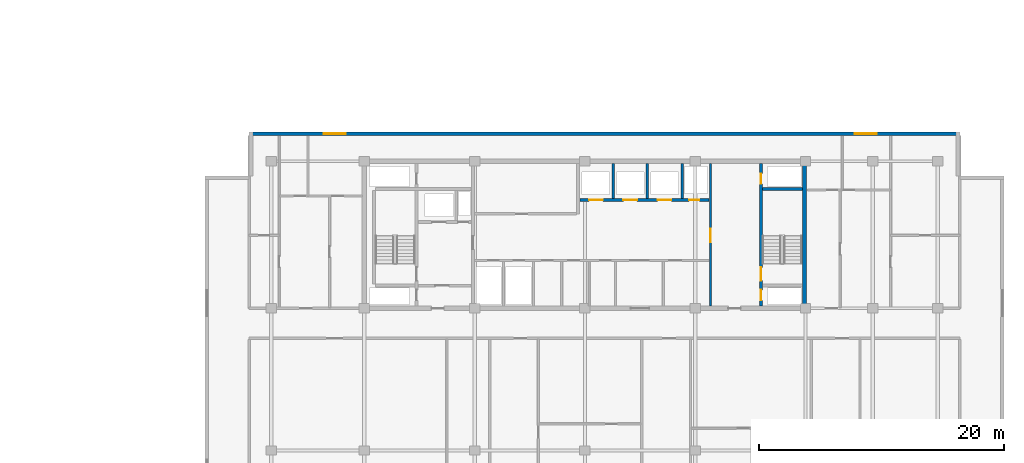
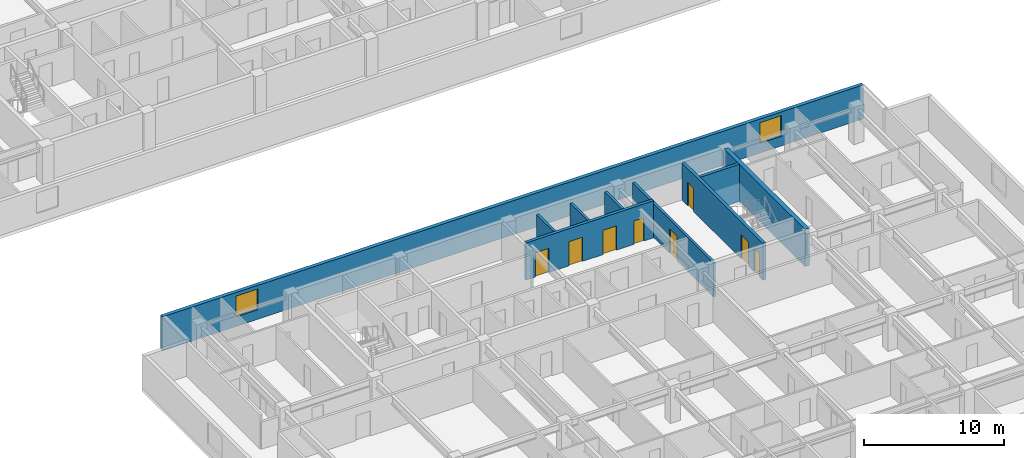
# One storey, part 7 of 21: 9 walls, 8 doors, 2 windows, 10 openings.
"""IFC4 building model written with IfcOpenShell, lengths in metres."""

from ifc_helpers import new_model, si_unit, direction, frame, frame_2d, origin, place, context, subcontext, project, spatial, rectangle, extrude, material, layer, layer_set, type_object, element, fill, save


model = new_model("IFC4")

# Units and contexts
model_context = context("Model", 3, precision=1e-05, world=origin(), true_north=direction((0.0, 1.0)))
body_context = subcontext(model_context, "Body", "Model", "MODEL_VIEW")
ifc_project = project(units=[si_unit("LENGTHUNIT", "METRE"), si_unit("AREAUNIT", "SQUARE_METRE"), si_unit("VOLUMEUNIT", "CUBIC_METRE"), si_unit("PLANEANGLEUNIT", "RADIAN"), si_unit("MASSUNIT", "GRAM", prefix="KILO")], contexts=[model_context])

# Site, building, storey
site_placement = place(None, origin())
site = spatial("IfcSite", under=ifc_project, at=site_placement, CompositionType="ELEMENT")
building_placement = place(site_placement, origin())
building = spatial("IfcBuilding", under=site, at=building_placement, Name="Korimba Cascade Residences", CompositionType="ELEMENT")
storey_placement = place(building_placement, frame((0.0, 0.0, 106.800048828125)))
storey = spatial("IfcBuildingStorey", under=building, at=storey_placement, Name="L30", CompositionType="ELEMENT", Elevation=106.800048828125)

# Wall, openings, windows
ifc_material_1 = material(Name="Precast concrete C40/50", Category="concrete")
ifc_layer_1 = layer(ifc_material_1, 0.300048828125)
ifc_layer_set_1 = layer_set([ifc_layer_1], Name="Precast concrete C40/50")
wall_type_1 = type_object("IfcWallType", Name="EW-STONE-300", PredefinedType="STANDARD", material=ifc_layer_set_1)
wall_1_placement = place(storey_placement, frame((130.699951171875, 32.64990234375, 0.0), z_axis=(0.0, 0.0, 1.0), x_axis=(-1.0, 0.0, 0.0)))
wall_1 = element("IfcWall", 1, at=wall_1_placement, inside=storey, type_object=wall_type_1, Name="L30 T2 Perimeter Stone Wall E06", PredefinedType="STANDARD", context=body_context, shape_type="SweptSolid", body=[
    extrude(rectangle(XDim=58.0, YDim=0.300048828125, at=frame_2d((29.0, 0.0))), origin(), (0.0, 0.0, 1.0), 2.969970703125),
])
opening_1_placement = place(wall_1_placement, frame((50.125, 0.0, 0.85009765625)))
opening_1 = element("IfcOpeningElement", 2, at=opening_1_placement, cuts=wall_1, Name="Opening W-02", PredefinedType="OPENING", context=body_context, shape_type="SweptSolid", body=[
    extrude(rectangle(XDim=1.800048828125, YDim=1.800048828125, at=frame_2d((0.89990234375, 0.89990234375))), frame((0.0, 0.16015625, 0.0), z_axis=(0.0, -1.0, 0.0), x_axis=(1.0, 0.0, 0.0)), (0.0, 0.0, 1.0), 0.320068359375),
])
opening_2_placement = place(wall_1_placement, frame((6.77490234375, 0.0, 0.85009765625)))
opening_2 = element("IfcOpeningElement", 3, at=opening_2_placement, cuts=wall_1, Name="Opening W-02", PredefinedType="OPENING", context=body_context, shape_type="SweptSolid", body=[
    extrude(rectangle(XDim=1.800048828125, YDim=1.800048828125, at=frame_2d((0.89990234375, 0.89990234375))), frame((0.0, 0.16015625, 0.0), z_axis=(0.0, -1.0, 0.0), x_axis=(1.0, 0.0, 0.0)), (0.0, 0.0, 1.0), 0.320068359375),
])
ifc_material_2 = material(Name="Double-Glazed Aluminium Window", Category="aluminium")
window_type = type_object("IfcWindowType", Name="WIN-BED-1800", PartitioningType="SINGLE_PANEL", PredefinedType="WINDOW", material=ifc_material_2)
window_1_placement = place(opening_1_placement, origin())
window_1 = element("IfcWindow", 4, at=window_1_placement, inside=storey, type_object=window_type, Name="L30 T2 North Corner Bedroom Window 1", OverallHeight=1.800048828125, OverallWidth=1.800048828125, PartitioningType="SINGLE_PANEL", PredefinedType="WINDOW", context=body_context, shape_type="SweptSolid", body=[
    extrude(rectangle(XDim=1.800048828125, YDim=1.800048828125, at=frame_2d((0.89990234375, 0.89990234375))), frame((0.0, 0.030029296875, 0.0), z_axis=(0.0, -1.0, 0.0), x_axis=(1.0, 0.0, 0.0)), (0.0, 0.0, 1.0), 0.06005859375),
])
fill(opening_1, window_1)
window_2_placement = place(opening_2_placement, origin())
window_2 = element("IfcWindow", 5, at=window_2_placement, inside=storey, type_object=window_type, Name="L30 T2 North Corner Bedroom Window 2", OverallHeight=1.800048828125, OverallWidth=1.800048828125, PartitioningType="SINGLE_PANEL", PredefinedType="WINDOW", context=body_context, shape_type="SweptSolid", body=[
    extrude(rectangle(XDim=1.800048828125, YDim=1.800048828125, at=frame_2d((0.89990234375, 0.89990234375))), frame((0.0, 0.030029296875, 0.0), z_axis=(0.0, -1.0, 0.0), x_axis=(1.0, 0.0, 0.0)), (0.0, 0.0, 1.0), 0.06005859375),
])
fill(opening_2, window_2)

# Walls
ifc_material_3 = material(Name="Concrete C65/80", Category="concrete")
ifc_layer_2 = layer(ifc_material_3, 0.35009765625)
ifc_layer_set_2 = layer_set([ifc_layer_2], Name="Concrete C65/80")
wall_type_2 = type_object("IfcWallType", Name="WAL-CORE-350", PredefinedType="SHEAR", material=ifc_layer_set_2)
wall_2_placement = place(storey_placement, frame((118.014892578125, 18.574951171875, 0.0), z_axis=(0.0, 0.0, 1.0), x_axis=(0.0, 1.0, 0.0)))
element("IfcWall", 6, at=wall_2_placement, inside=storey, type_object=wall_type_2, Name="L30 Core Shear Wall CW-L30-T2-E", PredefinedType="SHEAR", context=body_context, shape_type="SweptSolid", body=[
    extrude(rectangle(XDim=11.650146484375, YDim=0.35009765625, at=frame_2d((5.8251953125, 0.0))), origin(), (0.0, 0.0, 1.0), 3.25),
])
ifc_material_4 = material(Name="Concrete C40/50", Category="concrete")
ifc_layer_3 = layer(ifc_material_4, 0.199951171875)
ifc_layer_set_3 = layer_set([ifc_layer_3], Name="Concrete C40/50")
wall_type_3 = type_object("IfcWallType", Name="WAL-PART-200", PredefinedType="PARTITIONING", material=ifc_layer_set_3)
for number, where, z_axis, x_axis, name in (
    (7, (102.39990234375, 27.3798828125, 0.0), (0.0, 0.0, 1.0), (0.0, 1.0, 0.0), "L30 Partition Wall CW-L30-T2-B2D1"),
    (8, (105.199951171875, 27.3798828125, 0.0), (0.0, 0.0, 1.0), (0.0, 1.0, 0.0), "L30 Partition Wall CW-L30-T2-B2D2"),
    (9, (108.050048828125, 27.3798828125, 0.0), (0.0, 0.0, 1.0), (0.0, 1.0, 0.0), "L30 Partition Wall CW-L30-T2-B2D3"),
):
    element("IfcWall", number, at=place(storey_placement, frame(where, z_axis=z_axis, x_axis=x_axis)), inside=storey, type_object=wall_type_3, Name=name, PredefinedType="PARTITIONING", context=body_context, shape_type="SweptSolid", body=[
        extrude(rectangle(XDim=2.820068359375, YDim=0.199951171875, at=frame_2d((1.41015625, 0.0))), origin(), (0.0, 0.0, 1.0), 2.969970703125),
    ])

# Wall, opening, door
wall_3_placement = place(storey_placement, frame((110.35009765625, 18.60009765625, 0.0), z_axis=(0.0, 0.0, 1.0), x_axis=(0.0, 1.0, 0.0)))
wall_3 = element("IfcWall", 10, at=wall_3_placement, inside=storey, type_object=wall_type_3, Name="L30 Partition Wall CW-L30-T2-LLEV", PredefinedType="PARTITIONING", context=body_context, shape_type="SweptSolid", body=[
    extrude(rectangle(XDim=11.599853515625, YDim=0.199951171875, at=frame_2d((5.7998046875, 0.0))), origin(), (0.0, 0.0, 1.0), 2.969970703125),
])
opening_3_placement = place(wall_3_placement, frame((5.199951171875, 0.0, 0.0)))
opening_3 = element("IfcOpeningElement", 11, at=opening_3_placement, cuts=wall_3, Name="Opening D-FD6", PredefinedType="OPENING", context=body_context, shape_type="SweptSolid", body=[
    extrude(rectangle(XDim=1.10009765625, YDim=2.14990234375, at=frame_2d((0.550048828125, 1.074951171875))), frame((0.0, 0.10986328125, 0.0), z_axis=(0.0, -1.0, 0.0), x_axis=(1.0, 0.0, 0.0)), (0.0, 0.0, 1.0), 0.219970703125),
])
ifc_material_5 = material(Name="Fire-Rated Timber Stair Lobby Door", Category="wood")
door_type_1 = type_object("IfcDoorType", Name="DR-FD90-1100", OperationType="NOTDEFINED", PredefinedType="DOOR", material=ifc_material_5)
door_1_placement = place(opening_3_placement, origin())
door_1 = element("IfcDoor", 12, at=door_1_placement, inside=storey, type_object=door_type_1, Name="L30 T2 Lift Lobby to East Stair Lobby Door", OperationType="SINGLE_SWING_LEFT", OverallHeight=2.14990234375, OverallWidth=1.10009765625, PredefinedType="DOOR", context=body_context, shape_type="SweptSolid", body=[
    extrude(rectangle(XDim=1.10009765625, YDim=2.14990234375, at=frame_2d((0.550048828125, 1.074951171875))), frame((0.0, 0.02490234375, 0.0), z_axis=(0.0, -1.0, 0.0), x_axis=(1.0, 0.0, 0.0)), (0.0, 0.0, 1.0), 0.050048828125),
])
fill(opening_3, door_1)

# Wall, openings, doors
ifc_material_6 = material(Name="Concrete C50/60", Category="concrete")
ifc_layer_4 = layer(ifc_material_6, 0.25)
ifc_layer_set_4 = layer_set([ifc_layer_4], Name="Concrete C50/60")
wall_type_4 = type_object("IfcWallType", Name="WAL-SHAFT-250", PredefinedType="SHEAR", material=ifc_layer_set_4)
wall_4_placement = place(storey_placement, frame((99.679931640625, 27.25, 0.0), z_axis=(0.0, 0.0, 1.0), x_axis=(1.0, 0.0, 0.0)))
wall_4 = element("IfcWall", 13, at=wall_4_placement, inside=storey, type_object=wall_type_4, Name="L30 Core Shear Wall CW-L30-T2-B2S", PredefinedType="SHEAR", context=body_context, shape_type="SweptSolid", body=[
    extrude(rectangle(XDim=10.5400390625, YDim=0.25, at=frame_2d((5.27001953125, 0.0))), origin(), (0.0, 0.0, 1.0), 3.25),
])
opening_4_placement = place(wall_4_placement, frame((0.760009765625, 0.0, 0.0)))
opening_4 = element("IfcOpeningElement", 14, at=opening_4_placement, cuts=wall_4, Name="Opening LD-01", PredefinedType="OPENING", context=body_context, shape_type="SweptSolid", body=[
    extrude(rectangle(XDim=1.1201171875, YDim=2.1201171875, at=frame_2d((0.56005859375, 1.06005859375))), frame((0.0, 0.135009765625, 0.0), z_axis=(0.0, -1.0, 0.0), x_axis=(1.0, 0.0, 0.0)), (0.0, 0.0, 1.0), 0.27001953125),
])
opening_5_placement = place(wall_4_placement, frame((3.56005859375, 0.0, 0.0)))
opening_5 = element("IfcOpeningElement", 15, at=opening_5_placement, cuts=wall_4, Name="Opening LD-01", PredefinedType="OPENING", context=body_context, shape_type="SweptSolid", body=[
    extrude(rectangle(XDim=1.1201171875, YDim=2.1201171875, at=frame_2d((0.56005859375, 1.06005859375))), frame((0.0, 0.135009765625, 0.0), z_axis=(0.0, -1.0, 0.0), x_axis=(1.0, 0.0, 0.0)), (0.0, 0.0, 1.0), 0.27001953125),
])
opening_6_placement = place(wall_4_placement, frame((6.360107421875, 0.0, 0.0)))
opening_6 = element("IfcOpeningElement", 16, at=opening_6_placement, cuts=wall_4, Name="Opening LD-01", PredefinedType="OPENING", context=body_context, shape_type="SweptSolid", body=[
    extrude(rectangle(XDim=1.1201171875, YDim=2.1201171875, at=frame_2d((0.56005859375, 1.06005859375))), frame((0.0, 0.135009765625, 0.0), z_axis=(0.0, -1.0, 0.0), x_axis=(1.0, 0.0, 0.0)), (0.0, 0.0, 1.0), 0.27001953125),
])
opening_7_placement = place(wall_4_placement, frame((8.919921875, 0.0, 0.0)))
opening_7 = element("IfcOpeningElement", 17, at=opening_7_placement, cuts=wall_4, Name="Opening D-RS1", PredefinedType="OPENING", context=body_context, shape_type="SweptSolid", body=[
    extrude(rectangle(XDim=0.85009765625, YDim=2.050048828125, at=frame_2d((0.425048828125, 1.02490234375))), frame((0.0, 0.135009765625, 0.0), z_axis=(0.0, -1.0, 0.0), x_axis=(1.0, 0.0, 0.0)), (0.0, 0.0, 1.0), 0.27001953125),
])
ifc_material_7 = material(Name="Fire-Rated Steel Riser Access Door", Category="steel")
door_type_2 = type_object("IfcDoorType", Name="DR-FD60-850", OperationType="NOTDEFINED", PredefinedType="DOOR", material=ifc_material_7)
door_2_placement = place(opening_7_placement, origin())
door_2 = element("IfcDoor", 18, at=door_2_placement, inside=storey, type_object=door_type_2, Name="L30 T2 Duct Door", OperationType="SINGLE_SWING_RIGHT", OverallHeight=2.050048828125, OverallWidth=0.85009765625, PredefinedType="DOOR", context=body_context, shape_type="SweptSolid", body=[
    extrude(rectangle(XDim=0.85009765625, YDim=2.050048828125, at=frame_2d((0.425048828125, 1.02490234375))), frame((0.0, 0.02490234375, 0.0), z_axis=(0.0, -1.0, 0.0), x_axis=(1.0, 0.0, 0.0)), (0.0, 0.0, 1.0), 0.050048828125),
])
fill(opening_7, door_2)
ifc_material_8 = material(Name="Stainless Steel Lift Landing Sliding Door", Category="steel")
door_type_3 = type_object("IfcDoorType", Name="DR-LIFT-1100", OperationType="NOTDEFINED", PredefinedType="DOOR", material=ifc_material_8)
door_3_placement = place(opening_4_placement, origin())
door_3 = element("IfcDoor", 19, at=door_3_placement, inside=storey, type_object=door_type_3, Name="L30 Lift Landing Door PL-E4", OperationType="SLIDING_TO_RIGHT", OverallHeight=2.1201171875, OverallWidth=1.1201171875, PredefinedType="DOOR", context=body_context, shape_type="SweptSolid", body=[
    extrude(rectangle(XDim=1.1201171875, YDim=2.1201171875, at=frame_2d((0.56005859375, 1.06005859375))), frame((0.0, 0.02490234375, 0.0), z_axis=(0.0, -1.0, 0.0), x_axis=(1.0, 0.0, 0.0)), (0.0, 0.0, 1.0), 0.050048828125),
])
fill(opening_4, door_3)
door_4_placement = place(opening_5_placement, origin())
door_4 = element("IfcDoor", 20, at=door_4_placement, inside=storey, type_object=door_type_3, Name="L30 Lift Landing Door PL-E5", OperationType="SLIDING_TO_RIGHT", OverallHeight=2.1201171875, OverallWidth=1.1201171875, PredefinedType="DOOR", context=body_context, shape_type="SweptSolid", body=[
    extrude(rectangle(XDim=1.1201171875, YDim=2.1201171875, at=frame_2d((0.56005859375, 1.06005859375))), frame((0.0, 0.02490234375, 0.0), z_axis=(0.0, -1.0, 0.0), x_axis=(1.0, 0.0, 0.0)), (0.0, 0.0, 1.0), 0.050048828125),
])
fill(opening_5, door_4)
door_5_placement = place(opening_6_placement, origin())
door_5 = element("IfcDoor", 21, at=door_5_placement, inside=storey, type_object=door_type_3, Name="L30 Lift Landing Door PL-E6", OperationType="SLIDING_TO_RIGHT", OverallHeight=2.1201171875, OverallWidth=1.1201171875, PredefinedType="DOOR", context=body_context, shape_type="SweptSolid", body=[
    extrude(rectangle(XDim=1.1201171875, YDim=2.1201171875, at=frame_2d((0.56005859375, 1.06005859375))), frame((0.0, 0.02490234375, 0.0), z_axis=(0.0, -1.0, 0.0), x_axis=(1.0, 0.0, 0.0)), (0.0, 0.0, 1.0), 0.050048828125),
])
fill(opening_6, door_5)

wall_5_placement = place(storey_placement, frame((114.47509765625, 18.60009765625, 0.0), z_axis=(0.0, 0.0, 1.0), x_axis=(0.0, 1.0, 0.0)))
wall_5 = element("IfcWall", 22, at=wall_5_placement, inside=storey, type_object=wall_type_4, Name="L30 Core Shear Wall CW-L30-T2-STE2W", PredefinedType="SHEAR", context=body_context, shape_type="SweptSolid", body=[
    extrude(rectangle(XDim=11.599853515625, YDim=0.25, at=frame_2d((5.7998046875, 0.0))), origin(), (0.0, 0.0, 1.0), 3.25),
])
opening_8_placement = place(wall_5_placement, frame((0.449951171875, 0.0, 0.0)))
opening_8 = element("IfcOpeningElement", 23, at=opening_8_placement, cuts=wall_5, Name="Opening D-RS1", PredefinedType="OPENING", context=body_context, shape_type="SweptSolid", body=[
    extrude(rectangle(XDim=0.85009765625, YDim=2.050048828125, at=frame_2d((0.425048828125, 1.02490234375))), frame((0.0, 0.135009765625, 0.0), z_axis=(0.0, -1.0, 0.0), x_axis=(1.0, 0.0, 0.0)), (0.0, 0.0, 1.0), 0.27001953125),
])
opening_9_placement = place(wall_5_placement, frame((2.050048828125, 0.0, 0.0)))
opening_9 = element("IfcOpeningElement", 24, at=opening_9_placement, cuts=wall_5, Name="Opening D-FD1", PredefinedType="OPENING", context=body_context, shape_type="SweptSolid", body=[
    extrude(rectangle(XDim=1.10009765625, YDim=2.10009765625, at=frame_2d((0.550048828125, 1.050048828125))), frame((0.0, 0.135009765625, 0.0), z_axis=(0.0, -1.0, 0.0), x_axis=(1.0, 0.0, 0.0)), (0.0, 0.0, 1.0), 0.27001953125),
])
opening_10_placement = place(wall_5_placement, frame((9.949951171875, 0.0, 0.0)))
opening_10 = element("IfcOpeningElement", 25, at=opening_10_placement, cuts=wall_5, Name="Opening D-RS1", PredefinedType="OPENING", context=body_context, shape_type="SweptSolid", body=[
    extrude(rectangle(XDim=0.85009765625, YDim=2.050048828125, at=frame_2d((0.425048828125, 1.02490234375))), frame((0.0, 0.135009765625, 0.0), z_axis=(0.0, -1.0, 0.0), x_axis=(1.0, 0.0, 0.0)), (0.0, 0.0, 1.0), 0.27001953125),
])
ifc_material_9 = material(Name="Fire-Rated Steel Core Door", Category="steel")
door_type_4 = type_object("IfcDoorType", Name="DR-FD120-1100", OperationType="NOTDEFINED", PredefinedType="DOOR", material=ifc_material_9)
door_6_placement = place(opening_9_placement, origin())
door_6 = element("IfcDoor", 26, at=door_6_placement, inside=storey, type_object=door_type_4, Name="L30 Fire Stair ST-E2 Door", OperationType="SINGLE_SWING_LEFT", OverallHeight=2.10009765625, OverallWidth=1.10009765625, PredefinedType="DOOR", context=body_context, shape_type="SweptSolid", body=[
    extrude(rectangle(XDim=1.10009765625, YDim=2.10009765625, at=frame_2d((0.550048828125, 1.050048828125))), frame((0.0, 0.02490234375, 0.0), z_axis=(0.0, -1.0, 0.0), x_axis=(1.0, 0.0, 0.0)), (0.0, 0.0, 1.0), 0.050048828125),
])
fill(opening_9, door_6)
door_7_placement = place(opening_8_placement, origin())
door_7 = element("IfcDoor", 27, at=door_7_placement, inside=storey, type_object=door_type_2, Name="L30 T2 East Hydrant Door", OperationType="SINGLE_SWING_RIGHT", OverallHeight=2.050048828125, OverallWidth=0.85009765625, PredefinedType="DOOR", context=body_context, shape_type="SweptSolid", body=[
    extrude(rectangle(XDim=0.85009765625, YDim=2.050048828125, at=frame_2d((0.425048828125, 1.02490234375))), frame((0.0, 0.02490234375, 0.0), z_axis=(0.0, -1.0, 0.0), x_axis=(1.0, 0.0, 0.0)), (0.0, 0.0, 1.0), 0.050048828125),
])
fill(opening_8, door_7)
door_8_placement = place(opening_10_placement, origin())
door_8 = element("IfcDoor", 28, at=door_8_placement, inside=storey, type_object=door_type_2, Name="L30 T2 East Riser Door", OperationType="SINGLE_SWING_RIGHT", OverallHeight=2.050048828125, OverallWidth=0.85009765625, PredefinedType="DOOR", context=body_context, shape_type="SweptSolid", body=[
    extrude(rectangle(XDim=0.85009765625, YDim=2.050048828125, at=frame_2d((0.425048828125, 1.02490234375))), frame((0.0, 0.02490234375, 0.0), z_axis=(0.0, -1.0, 0.0), x_axis=(1.0, 0.0, 0.0)), (0.0, 0.0, 1.0), 0.050048828125),
])
fill(opening_10, door_8)

# Wall
wall_6_placement = place(storey_placement, frame((114.60009765625, 28.125, 0.0), z_axis=(0.0, 0.0, 1.0), x_axis=(1.0, 0.0, 0.0)))
element("IfcWall", 29, at=wall_6_placement, inside=storey, type_object=wall_type_4, Name="L30 Core Shear Wall CW-L30-T2-STE2N", PredefinedType="SHEAR", context=body_context, shape_type="SweptSolid", body=[
    extrude(rectangle(XDim=3.239990234375, YDim=0.25, at=frame_2d((1.6201171875, 0.0))), origin(), (0.0, 0.0, 1.0), 3.25),
])

save(model, "model.ifc")
